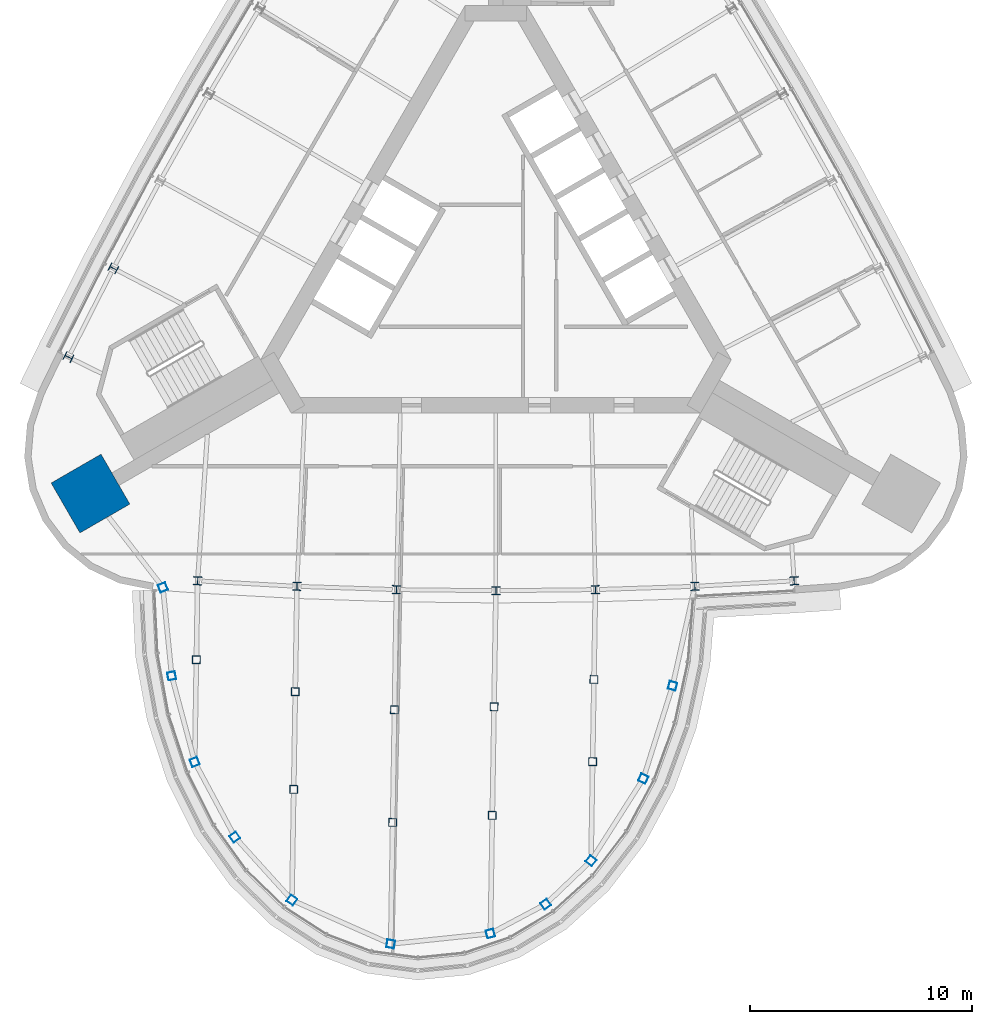
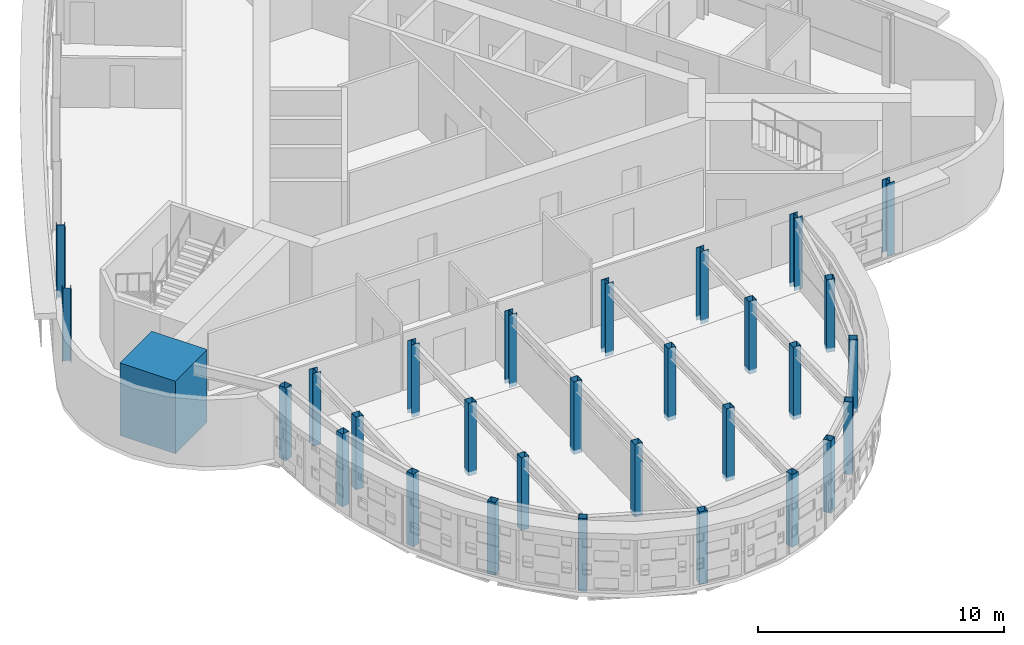
# One storey, part 1 of 15: 30 columns.
"""IFC4 building model written with IfcOpenShell, lengths in metres."""

from ifc_helpers import new_model, si_unit, direction, frame, origin, origin_2d, place, context, subcontext, project, spatial, rectangle, hollow_rectangle, i_section, extrude, material, material_profile, profile_set, type_object, element, save


model = new_model("IFC4")

# Units and contexts
model_context = context("Model", 3, precision=1e-05, world=origin(), true_north=direction((0.0, 1.0)))
body_context = subcontext(model_context, "Body", "Model", "MODEL_VIEW")
ifc_project = project(units=[si_unit("LENGTHUNIT", "METRE"), si_unit("AREAUNIT", "SQUARE_METRE"), si_unit("VOLUMEUNIT", "CUBIC_METRE"), si_unit("PLANEANGLEUNIT", "RADIAN"), si_unit("MASSUNIT", "GRAM", prefix="KILO")], contexts=[model_context])

# Site, building, storey
site_placement = place(None, origin())
site = spatial("IfcSite", under=ifc_project, at=site_placement, CompositionType="ELEMENT")
building_placement = place(site_placement, origin())
building = spatial("IfcBuilding", under=site, at=building_placement, Name="Noor Cloister Tower", CompositionType="ELEMENT")
storey_placement = place(building_placement, frame((0.0, 0.0, 225.60009765625)))
storey = spatial("IfcBuildingStorey", under=building, at=storey_placement, Name="L58", CompositionType="ELEMENT", Elevation=225.60009765625)

# Columns
ifc_material_1 = material(Name="Steel ASTM A992 Gr 50", Category="steel")
ifc_material_profile_1 = material_profile(ifc_material_1, i_section(OverallWidth=0.373046875, OverallDepth=0.367919921875, WebThickness=0.014892578125, FlangeThickness=0.02392578125, FilletRadius=0.01513671875, at=origin_2d()), Name="W360x179")
ifc_profile_set_1 = profile_set([ifc_material_profile_1], Name="Steel ASTM A992 Gr 50")
column_type_1 = type_object("IfcColumnType", Name="Column W360x179", PredefinedType="COLUMN", material=ifc_profile_set_1)
for number, where, z_axis, x_axis, name in (
    (1, (-17.253173828125, -0.399658203125, -0.2001953125), (0.0, 0.0, 1.0), (-0.461186480588, -0.887303234595, 0.0), "Column NW 06 L58"),
    (2, (-19.278564453125, -4.404296875, -0.2001953125), (0.0, 0.0, 1.0), (-0.441436057324, -0.89729270993, 0.0), "Column NW 07 L58"),
    (3, (-13.45361328125, -14.49365234375, -0.2001953125), (0.0, 0.0, 1.0), (0.997796310092, -0.066351515176, 0.0), "Column S 01 L58"),
    (4, (-8.97265625, -14.741943359375, -0.2001953125), (0.0, 0.0, 1.0), (0.999020382313, -0.044252409227, 0.0), "Column S 02 L58"),
    (5, (-4.487548828125, -14.890869140625, -0.2001953125), (0.0, 0.0, 1.0), (0.999755065582, -0.022131625419, 0.0), "Column S 03 L58"),
    (6, (0.0, -14.9404296875, -0.2001953125), (0.0, 0.0, 1.0), (1.0, 0.0, 0.0), "Column S 04 L58"),
    (7, (4.487548828125, -14.890869140625, -0.2001953125), (0.0, 0.0, 1.0), (0.999755065582, 0.022131625419, 0.0), "Column S 05 L58"),
    (8, (8.97265625, -14.741943359375, -0.2001953125), (0.0, 0.0, 1.0), (0.999020382313, 0.044252409227, 0.0), "Column S 06 L58"),
    (9, (13.45361328125, -14.49365234375, -0.2001953125), (0.0, 0.0, 1.0), (0.997796310092, 0.066351515176, 0.0), "Column S 07 L58"),
):
    element("IfcColumn", number, at=place(storey_placement, frame(where, z_axis=z_axis, x_axis=x_axis)), inside=storey, type_object=column_type_1, Name=name, PredefinedType="COLUMN", context=body_context, shape_type="SweptSolid", body=[
        extrude(i_section(OverallWidth=0.373046875, OverallDepth=0.367919921875, WebThickness=0.014892578125, FlangeThickness=0.02392578125, FilletRadius=0.01513671875, at=origin_2d()), origin(), (0.0, 0.0, 1.0), 3.60009765625),
    ])
ifc_material_2 = material(Name="Concrete C60/75", Category="concrete")
ifc_material_profile_2 = material_profile(ifc_material_2, rectangle(XDim=2.60009765625, YDim=2.60009765625, at=origin_2d()), Name="RC 2600x2600")
ifc_profile_set_2 = profile_set([ifc_material_profile_2], Name="Concrete C60/75")
column_type_2 = type_object("IfcColumnType", Name="Corner pier 2600 x 2600 C60/75", PredefinedType="COLUMN", material=ifc_profile_set_2)
column_placement = place(storey_placement, frame((-18.2861328125, -10.5576171875, -0.2001953125), z_axis=(0.0, 0.0, 1.0), x_axis=(-0.866025403784, -0.5, 0.0)))
element("IfcColumn", 10, at=column_placement, inside=storey, type_object=column_type_2, Name="Corner pier SW L58", PredefinedType="COLUMN", context=body_context, shape_type="SweptSolid", body=[
    extrude(rectangle(XDim=2.60009765625, YDim=2.60009765625, at=origin_2d()), origin(), (0.0, 0.0, 1.0), 3.60009765625),
])
ifc_material_3 = material(Name="Steel ASTM A500 Gr C", Category="steel")
ifc_material_profile_3 = material_profile(ifc_material_3, hollow_rectangle(XDim=0.35595703125, YDim=0.35595703125, WallThickness=0.0126953125, at=origin_2d()), Name="HSS355.6x355.6x12.7")
ifc_profile_set_3 = profile_set([ifc_material_profile_3], Name="Steel ASTM A500 Gr C")
column_type_3 = type_object("IfcColumnType", Name="Pod post HSS355.6x355.6x12.7", PredefinedType="COLUMN", material=ifc_profile_set_3)
for number, where, z_axis, x_axis, name in (
    (11, (-13.5107421875, -18.053466796875, -0.2001953125), (0.0, 0.0, 1.0), (-0.016039464463, -0.999871359516, 0.0), "Pod post 4 L58 line 1 node 1"),
    (12, (-9.049072265625, -19.49462890625, -0.2001953125), (0.0, 0.0, 1.0), (-0.016039464463, -0.999871359516, 0.0), "Pod post 4 L58 line 2 node 1"),
    (13, (-9.11962890625, -23.901611328125, -0.2001953125), (0.0, 0.0, 1.0), (-0.016039464463, -0.999871359516, 0.0), "Pod post 4 L58 line 2 node 2"),
    (14, (-4.574462890625, -20.312744140625, -0.2001953125), (0.0, 0.0, 1.0), (-0.016039464463, -0.999871359516, 0.0), "Pod post 4 L58 line 3 node 1"),
    (15, (-4.656005859375, -25.392822265625, -0.2001953125), (0.0, 0.0, 1.0), (-0.016039464463, -0.999871359516, 0.0), "Pod post 4 L58 line 3 node 2"),
    (16, (-0.083984375, -20.17919921875, -0.2001953125), (0.0, 0.0, 1.0), (-0.016039464463, -0.999871359516, 0.0), "Pod post 4 L58 line 4 node 1"),
    (17, (-0.16259765625, -25.07421875, -0.2001953125), (0.0, 0.0, 1.0), (-0.016039464463, -0.999871359516, 0.0), "Pod post 4 L58 line 4 node 2"),
    (18, (4.42236328125, -18.9443359375, -0.2001953125), (0.0, 0.0, 1.0), (-0.016039464463, -0.999871359516, 0.0), "Pod post 4 L58 line 5 node 1"),
    (19, (4.363037109375, -22.650146484375, -0.2001953125), (0.0, 0.0, 1.0), (-0.016039464463, -0.999871359516, 0.0), "Pod post 4 L58 line 5 node 2"),
    (20, (-15.020751953125, -14.789794921875, -0.2001953125), (0.0, 0.0, 1.0), (0.370053104001, -0.929010602856, 0.0), "Pod post 4 L58 ring 2"),
    (21, (-14.622802734375, -18.781005859375, -0.2001953125), (0.0, 0.0, 1.0), (0.179301974184, -0.983794085189, 0.0), "Pod post 4 L58 ring 3"),
    (22, (-13.584716796875, -22.66943359375, -0.2001953125), (0.0, 0.0, 1.0), (0.364969421479, -0.931019506447, 0.0), "Pod post 4 L58 ring 4"),
    (23, (-11.772705078125, -26.0517578125, -0.2001953125), (0.0, 0.0, 1.0), (0.575844384689, -0.817559321776, 0.0), "Pod post 4 L58 ring 5"),
    (24, (-9.19970703125, -28.89501953125, -0.2001953125), (0.0, 0.0, 1.0), (0.824616610555, -0.565692005951, 0.0), "Pod post 4 L58 ring 6"),
    (25, (-4.743896484375, -30.87353515625, -0.2001953125), (0.0, 0.0, 1.0), (0.986089930932, -0.166212659308, 0.0), "Pod post 4 L58 ring 7"),
    (26, (-0.248046875, -30.404052734375, -0.2001953125), (0.0, 0.0, 1.0), (0.968527880789, 0.248905090614, 0.0), "Pod post 4 L58 ring 8"),
    (27, (2.246337890625, -29.0771484375, -0.2001953125), (0.0, 0.0, 1.0), (0.810277438897, 0.586046475986, 0.0), "Pod post 4 L58 ring 9"),
    (28, (4.291259765625, -27.120849609375, -0.2001953125), (0.0, 0.0, 1.0), (0.614121771124, 0.789211283644, 0.0), "Pod post 4 L58 ring 10"),
    (29, (6.649658203125, -23.418212890625, -0.2001953125), (0.0, 0.0, 1.0), (0.422538368102, 0.906345037765, 0.0), "Pod post 4 L58 ring 11"),
    (30, (7.969970703125, -19.229736328125, -0.2001953125), (0.0, 0.0, 1.0), (0.259465118082, 0.965752479934, 0.0), "Pod post 4 L58 ring 12"),
):
    element("IfcColumn", number, at=place(storey_placement, frame(where, z_axis=z_axis, x_axis=x_axis)), inside=storey, type_object=column_type_3, Name=name, PredefinedType="COLUMN", context=body_context, shape_type="SweptSolid", body=[
        extrude(hollow_rectangle(XDim=0.35595703125, YDim=0.35595703125, WallThickness=0.0126953125, at=origin_2d()), origin(), (0.0, 0.0, 1.0), 3.60009765625),
    ])

save(model, "model.ifc")
